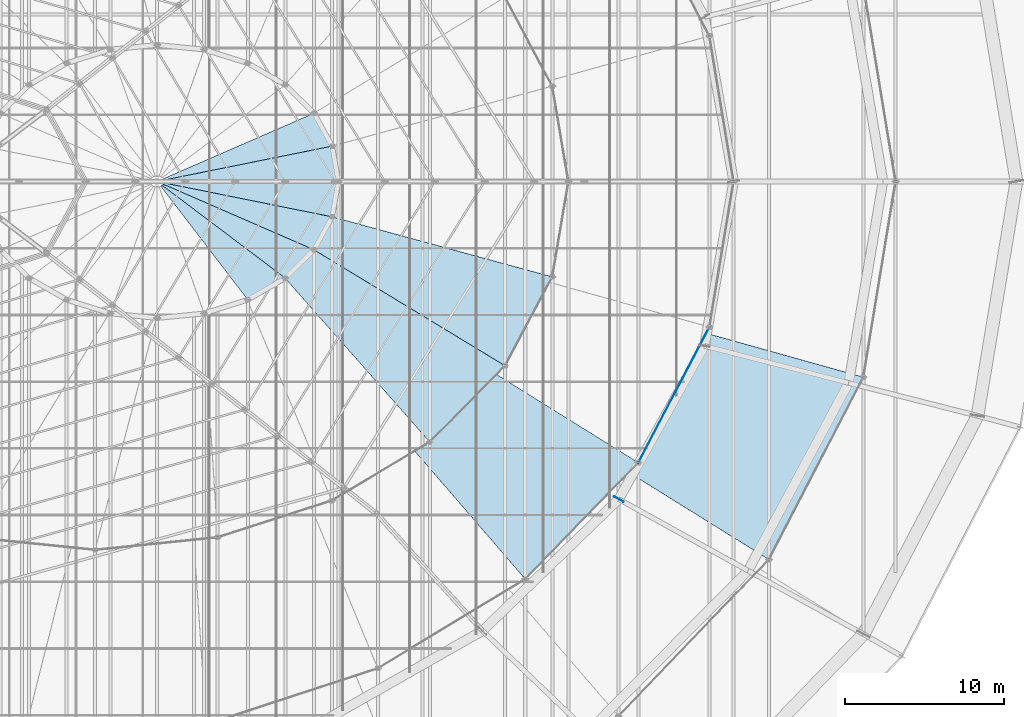
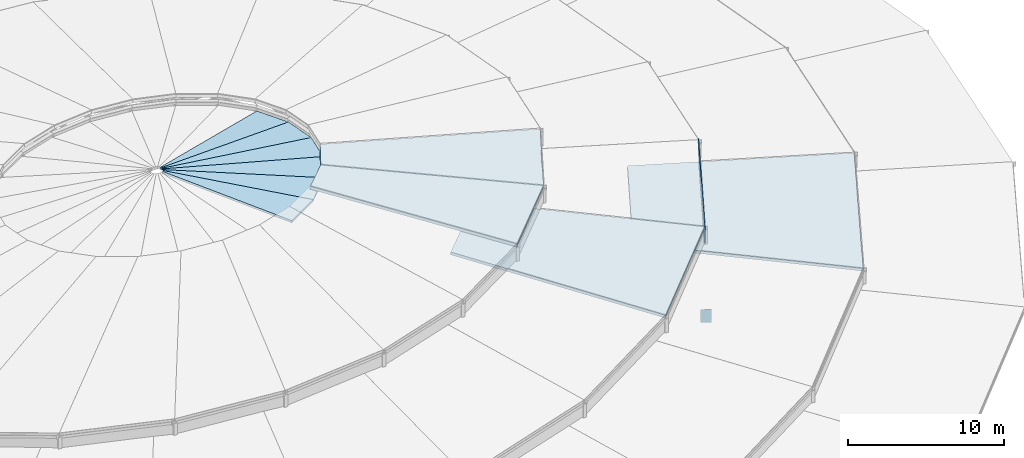
# One storey, part 144 of 184: 10 slabs, 2 plates.
"""IFC4 building model written with IfcOpenShell, lengths in metres."""

import ifcopenshell
import ifcopenshell.guid

model = None  # the IFC model being written
_history = None  # IfcOwnerHistory: only IFC2X3 demands one
_inside = {}  # id of a spatial element -> (the spatial element, [elements in it])
_under = {}  # id of a project, library or spatial element -> (it, [spatial elements below it])
_declared = {}  # id of a project -> (the project, [libraries it declares])
_typed = {}  # id of a type object -> (the type object, [elements of that type])
_made_of = {}  # id of a material, layer set ... -> (it, [elements and type objects made of it])


def new_model(schema):
    """Start an empty IFC model of exactly this schema.

    Asked for "IFC4X3", IfcOpenShell would pick the latest addendum, in which some entities
    have other attributes; the version numbers below select the first issue.
    IFC2X3 requires an IfcOwnerHistory on every rooted entity: one is made here for all.
    """
    global model, _history
    if schema == "IFC4X3":
        model = ifcopenshell.file(schema_version=(4, 3, 0, 0))
    else:
        model = ifcopenshell.file(schema=schema)
    _inside.clear()
    _under.clear()
    _declared.clear()
    _typed.clear()
    _made_of.clear()
    _history = None
    if model.schema == "IFC2X3":
        org = make("IfcOrganization", Name="unknown")
        user = make(
            "IfcPersonAndOrganization",
            ThePerson=make("IfcPerson", FamilyName="unknown"),
            TheOrganization=org,
        )
        app = make(
            "IfcApplication",
            ApplicationDeveloper=org,
            Version="unknown",
            ApplicationFullName="unknown",
            ApplicationIdentifier="unknown",
        )
        _history = make(
            "IfcOwnerHistory",
            OwningUser=user,
            OwningApplication=app,
            ChangeAction="ADDED",
            CreationDate=0,
        )
    return model


def make(cls, **values):
    """One entity of the class cls with the attributes given. An attribute that is None is left unset."""
    return model.create_entity(
        cls, **{name: value for name, value in values.items() if value is not None}
    )


def rooted(cls, **values):
    """An entity with a GlobalId (a new one), such as an element, a storey or a relation."""
    return make(cls, GlobalId=ifcopenshell.guid.new(), OwnerHistory=_history, **values)


def si_unit(unit_type, name, prefix=None):
    """IfcSIUnit, for example si_unit("LENGTHUNIT", "METRE", prefix="MILLI")."""
    return make("IfcSIUnit", UnitType=unit_type, Prefix=prefix, Name=name)


def assignment(units):
    """IfcUnitAssignment: the units of a project."""
    return None if units is None else make("IfcUnitAssignment", Units=units)


def point(xyz):
    """IfcCartesianPoint."""
    return None if xyz is None else make("IfcCartesianPoint", Coordinates=xyz)


def direction(xyz):
    """IfcDirection."""
    return None if xyz is None else make("IfcDirection", DirectionRatios=xyz)


def frame(location, z_axis=None, x_axis=None):
    """IfcAxis2Placement3D, a coordinate frame: its origin and axes. An axis left out is left unset."""
    return make(
        "IfcAxis2Placement3D",
        Location=point(location),
        Axis=direction(z_axis),
        RefDirection=direction(x_axis),
    )


def frame_2d(location, x_axis=None):
    """IfcAxis2Placement2D, a coordinate frame in the plane: its origin and x axis."""
    return make(
        "IfcAxis2Placement2D", Location=point(location), RefDirection=direction(x_axis)
    )


def origin():
    """The frame at (0, 0, 0) with its axes left unset."""
    return frame((0.0, 0.0, 0.0))


def origin_2d():
    """The frame at (0, 0) in the plane with its x axis left unset."""
    return frame_2d((0.0, 0.0))


def place(relative_to, where):
    """IfcLocalPlacement: puts the frame where relative to a parent placement (None: the world)."""
    return make(
        "IfcLocalPlacement", PlacementRelTo=relative_to, RelativePlacement=where
    )


def context(
    kind, dimensions, precision=None, world=None, true_north=None, identifier=None
):
    """IfcGeometricRepresentationContext, for example the 3D "Model" context."""
    return make(
        "IfcGeometricRepresentationContext",
        ContextIdentifier=identifier,
        ContextType=kind,
        CoordinateSpaceDimension=dimensions,
        Precision=precision,
        WorldCoordinateSystem=world,
        TrueNorth=true_north,
    )


def subcontext(parent, identifier, kind, view, scale=None):
    """IfcGeometricRepresentationSubContext, for example "Body" below "Model"."""
    return make(
        "IfcGeometricRepresentationSubContext",
        ContextIdentifier=identifier,
        ContextType=kind,
        ParentContext=parent,
        TargetScale=scale,
        TargetView=view,
    )


def project(units=None, contexts=None):
    """IfcProject with its units and contexts."""
    return rooted(
        "IfcProject",
        Name="project",
        RepresentationContexts=contexts,
        UnitsInContext=assignment(units),
    )


def spatial(cls, under=None, at=None, **own):
    """A site, building, storey or space (cls), placed at a placement, below another one or the project."""
    s = rooted(cls, ObjectPlacement=at, **own)
    if under is not None:
        _under.setdefault(under.id(), (under, []))[1].append(s)
    return s


def polyline(points):
    """IfcPolyline through the points."""
    return make("IfcPolyline", Points=[point(p) for p in points])


def profile(cls, at=None, kind="AREA", **sizes):
    """A parametric profile (cls). Its sizes go by their IFC names, for example OverallWidth=200.0."""
    return make(cls, ProfileType=kind, Position=at, **sizes)


def rectangle(**sizes):
    """IfcRectangleProfileDef."""
    return profile("IfcRectangleProfileDef", **sizes)


def outline(outer, holes=None, kind="AREA"):
    """IfcArbitraryClosedProfileDef: a profile drawn as a closed curve; with holes, ...WithVoids."""
    if holes is None:
        return make("IfcArbitraryClosedProfileDef", ProfileType=kind, OuterCurve=outer)
    return make(
        "IfcArbitraryProfileDefWithVoids",
        ProfileType=kind,
        OuterCurve=outer,
        InnerCurves=holes,
    )


def extrude(swept, where, along, depth):
    """IfcExtrudedAreaSolid: the profile swept, set in the frame where, extruded along a direction by depth."""
    return make(
        "IfcExtrudedAreaSolid",
        SweptArea=swept,
        Position=where,
        ExtrudedDirection=direction(along),
        Depth=depth,
    )


def shape(context_of_items, identifier, shape_type, items):
    """IfcShapeRepresentation: the items that make up one representation, for example the "Body"."""
    return make(
        "IfcShapeRepresentation",
        ContextOfItems=context_of_items,
        RepresentationIdentifier=identifier,
        RepresentationType=shape_type,
        Items=items,
    )


def material(Name=None, Category=None):
    """IfcMaterial."""
    return make("IfcMaterial", Name=Name, Category=Category)


def layer(
    of_material, thickness, ventilated=None, Name=None, Category=None, Priority=None
):
    """IfcMaterialLayer: one layer of a wall or slab, of a material (None: an air gap)."""
    return make(
        "IfcMaterialLayer",
        Material=of_material,
        LayerThickness=thickness,
        IsVentilated=ventilated,
        Name=Name,
        Category=Category,
        Priority=Priority,
    )


def layer_set(layers, Name=None):
    """IfcMaterialLayerSet."""
    return make("IfcMaterialLayerSet", MaterialLayers=layers, LayerSetName=Name)


def made_of(thing, what):
    """Note that an element or type object is made of a material, layer set ...; save() writes the relation."""
    if what is not None:
        _made_of.setdefault(what.id(), (what, []))[1].append(thing)
    return thing


def type_object(cls, material=None, **own):
    """A type object (cls), such as IfcWallType, which elements share."""
    return made_of(rooted(cls, **own), material)


def element(
    cls,
    number,
    at=None,
    inside=None,
    cuts=None,
    type_object=None,
    material=None,
    context=None,
    identifier="Body",
    shape_type=None,
    held_by="IfcProductDefinitionShape",
    body=None,
    shapes=None,
    **own,
):
    """One element of the class cls, such as IfcWall. Its Tag is "e" and its number.

    at: its placement. inside: the storey or other place that contains it. cuts: it is an
    opening in that element (IfcRelVoidsElement). A single representation is given by context,
    identifier, shape_type and body (its items); several are given by shapes. held_by: the class
    of the entity that holds the representations. save() writes the other relations.
    """
    e = rooted(cls, Tag="e%d" % number, ObjectPlacement=at, **own)
    if body is not None:
        shapes = [shape(context, identifier, shape_type, body)]
    if shapes is not None:
        e.Representation = make(held_by, Representations=shapes)
    if inside is not None:
        _inside.setdefault(inside.id(), (inside, []))[1].append(e)
    if cuts is not None:
        rooted(
            "IfcRelVoidsElement", RelatingBuildingElement=cuts, RelatedOpeningElement=e
        )
    if type_object is not None:
        _typed.setdefault(type_object.id(), (type_object, []))[1].append(e)
    return made_of(e, material)


def aggregate(whole, parts):
    """IfcRelAggregates: a whole, such as a stair, and the parts it consists of."""
    return rooted("IfcRelAggregates", RelatingObject=whole, RelatedObjects=parts)


def save(model, path):
    """Write the relations noted so far, then the file.

    IfcRelAggregates (storeys below a building ...), IfcRelContainedInSpatialStructure (elements
    in a storey), IfcRelDefinesByType, IfcRelAssociatesMaterial and IfcRelDeclares: one each for
    every whole, place, type object, material and project.
    """
    for whole, parts in _under.values():
        aggregate(whole, parts)
    for where, things in _inside.values():
        rooted(
            "IfcRelContainedInSpatialStructure",
            RelatedElements=things,
            RelatingStructure=where,
        )
    for kind, things in _typed.values():
        rooted("IfcRelDefinesByType", RelatedObjects=things, RelatingType=kind)
    for what, things in _made_of.values():
        rooted("IfcRelAssociatesMaterial", RelatedObjects=things, RelatingMaterial=what)
    for by, libraries in _declared.values():
        rooted("IfcRelDeclares", RelatingContext=by, RelatedDefinitions=libraries)
    model.write(path)


model = new_model("IFC4")

# Units and contexts
model_context = context("Model", 3, precision=1e-05, world=origin(), true_north=direction((0.0, 1.0)))
body_context = subcontext(model_context, "Body", "Model", "MODEL_VIEW")
ifc_project = project(units=[si_unit("LENGTHUNIT", "METRE"), si_unit("AREAUNIT", "SQUARE_METRE"), si_unit("VOLUMEUNIT", "CUBIC_METRE"), si_unit("PLANEANGLEUNIT", "RADIAN"), si_unit("MASSUNIT", "GRAM", prefix="KILO")], contexts=[model_context])

# Site, building, storey
site_placement = place(None, origin())
site = spatial("IfcSite", under=ifc_project, at=site_placement, CompositionType="ELEMENT")
building_placement = place(site_placement, origin())
building = spatial("IfcBuilding", under=site, at=building_placement, Name="Kalgoora Escarpment Arena", CompositionType="ELEMENT")
storey_placement = place(building_placement, frame((0.0, 0.0, 27.60009765625)))
storey = spatial("IfcBuildingStorey", under=building, at=storey_placement, Name="Roof Level", CompositionType="ELEMENT", Elevation=27.60009765625)

# Plates
ifc_material_1 = material(Name="Low-E double-glazed petal clerestory glass", Category="glass")
ifc_layer_1 = layer(ifc_material_1, 0.035888671875)
ifc_layer_set_1 = layer_set([ifc_layer_1], Name="PLT-PETAL-CLERESTORY")
plate_type_1 = type_object("IfcPlateType", Name="PLT-PETAL-CLERESTORY", PredefinedType="USERDEFINED", material=ifc_layer_set_1)
plate_1_placement = place(storey_placement, frame((142.6357421875, 50.56884765625, 2.7099609375), z_axis=(0.0, 0.0, 1.0), x_axis=(0.464223811138, 0.885717930931, 0.0)))
element("IfcPlate", 1, at=plate_1_placement, inside=storey, type_object=plate_type_1, Name="Petal RP3 glazed clerestory collar panel S23", ObjectType="CLERESTORY PANEL", PredefinedType="USERDEFINED", context=body_context, shape_type="SweptSolid", body=[
    extrude(rectangle(XDim=9.784423828125, YDim=0.0400390625, at=origin_2d()), origin(), (0.0, 0.0, 1.0), 1.25),
])
ifc_material_2 = material(Name="Structural steel Grade 350 (350 MPa)", Category="steel")
ifc_layer_2 = layer(ifc_material_2, 0.031982421875)
ifc_layer_set_2 = layer_set([ifc_layer_2], Name="PLT-RING-DIAPH")
plate_type_2 = type_object("IfcPlateType", Name="PLT-RING-DIAPH", PredefinedType="USERDEFINED", material=ifc_layer_set_2)
plate_2_placement = place(storey_placement, frame((139.165283203125, 44.0, -1.760009765625), z_axis=(0.0, 0.0, 1.0), x_axis=(0.488012005351, 0.872836916401, 0.0)))
element("IfcPlate", 2, at=plate_2_placement, inside=storey, type_object=plate_type_2, Name="Inner ring node diaphragm plate 23", ObjectType="FLANGE PLATE", PredefinedType="USERDEFINED", context=body_context, shape_type="SweptSolid", body=[
    extrude(rectangle(XDim=0.031982421875, YDim=0.679931640625, at=origin_2d()), origin(), (0.0, 0.0, 1.0), 1.02001953125),
])

# Slabs
ifc_material_3 = material(Name="White acoustic composite Concrete N40 (fc' 40 MPa)", Category="concrete")
ifc_layer_3 = layer(ifc_material_3, 0.179931640625)
ifc_layer_set_3 = layer_set([ifc_layer_3], Name="SLB-CROWN-180")
slab_type_1 = type_object("IfcSlabType", Name="SLB-CROWN-180", PredefinedType="ROOF", material=ifc_layer_set_3)
slab_1_placement = place(storey_placement, frame((121.510009765625, 64.0, 6.75), z_axis=(0.13124082871, 0.022878618327, 0.991086481445), x_axis=(-0.171908029694, 0.985113003047, 2.3537677e-05)))
element("IfcSlab", 3, at=slab_1_placement, inside=storey, type_object=slab_type_1, Name="Art Deco pitched crown dome sector 01", PredefinedType="ROOF", context=body_context, shape_type="SweptSolid", body=[
    extrude(outline(polyline([(0.0, 0.0), (2.259467999029449, -5.551115123125783e-17), (1.9742905175930783, 10.883530950543234), (1.8824186596826196, 10.883946391546935), (0.0, 0.0)])), origin(), (0.0, 0.0, -1.0), 0.179931640625),
])
slab_2_placement = place(storey_placement, frame((121.12158203125, 66.225830078125, 6.75), z_axis=(0.122191429163, 0.06712242414, 0.990234232299), x_axis=(-0.481303922258, 0.876553782589, -2.5449185e-05)))
element("IfcSlab", 4, at=slab_2_placement, inside=storey, type_object=slab_type_1, Name="Art Deco pitched crown dome sector 02", PredefinedType="ROOF", context=body_context, shape_type="SweptSolid", body=[
    extrude(outline(polyline([(0.0, 0.0), (2.3663290366726724, -1.1102230246251565e-16), (3.314669642250503, 10.399207210171307), (3.219003735043346, 10.400508982752186), (0.0, 0.0)])), origin(), (0.0, 0.0, -1.0), 0.179931640625),
])
slab_3_placement = place(storey_placement, frame((115.81005859375, 56.55224609375, 6.75), z_axis=(0.080317619716, -0.138770776921, 0.987062182153), x_axis=(0.865443828447, 0.501005967613, 1.4790425e-05)))
element("IfcSlab", 5, at=slab_3_placement, inside=storey, type_object=slab_type_1, Name="Art Deco pitched crown dome sector 21", PredefinedType="ROOF", context=body_context, shape_type="SweptSolid", body=[
    extrude(outline(polyline([(0.0, 0.0), (2.727898737251544, 2.220446049250313e-16), (-1.0503144292743118, 9.044715398527952), (-1.158792923391847, 9.043454378046185), (0.0, 0.0)])), origin(), (0.0, 0.0, -1.0), 0.179931640625),
])
slab_4_placement = place(storey_placement, frame((118.1708984375, 57.9189453125, 6.75), z_axis=(0.104821272177, -0.10663593928, 0.988757441111), x_axis=(0.713135274723, 0.701026447388, 2.899545e-06)))
element("IfcSlab", 6, at=slab_4_placement, inside=storey, type_object=slab_type_1, Name="Art Deco pitched crown dome sector 22", PredefinedType="ROOF", context=body_context, shape_type="SweptSolid", body=[
    extrude(outline(polyline([(0.0, 0.0), (2.540567579935142, 0.0), (-1.330291859135439, 9.698490793871438), (-1.432135973702724, 9.696909295386057), (0.0, 0.0)])), origin(), (0.0, 0.0, -1.0), 0.179931640625),
])
slab_5_placement = place(storey_placement, frame((119.982666015625, 59.699951171875, 6.75), z_axis=(0.122231700924, -0.067032517279, 0.990235352286), x_axis=(0.481291922323, 0.876560368916, -7.1783168e-05)))
element("IfcSlab", 7, at=slab_5_placement, inside=storey, type_object=slab_type_1, Name="Art Deco pitched crown dome sector 23", PredefinedType="ROOF", context=body_context, shape_type="SweptSolid", body=[
    extrude(outline(polyline([(0.0, 0.0), (2.366329031236683, 3.3306690738754696e-16), (-0.8526747003294592, 10.400508982591598), (-0.9483406186283605, 10.399241245108486), (0.0, 0.0)])), origin(), (0.0, 0.0, -1.0), 0.179931640625),
])
slab_6_placement = place(storey_placement, frame((121.12158203125, 61.774169921875, 6.75), z_axis=(0.13124082871, -0.022878618327, 0.991086481445), x_axis=(0.171908029694, 0.985113003047, -2.3537677e-05)))
element("IfcSlab", 8, at=slab_6_placement, inside=storey, type_object=slab_type_1, Name="Art Deco pitched crown dome sector 24", PredefinedType="ROOF", context=body_context, shape_type="SweptSolid", body=[
    extrude(outline(polyline([(0.0, 0.0), (2.259467999029449, 5.551115123125783e-17), (0.3770493393468294, 10.883946391546935), (0.2851774814363707, 10.883530950543234), (0.0, 0.0)])), origin(), (0.0, 0.0, -1.0), 0.179931640625),
])
ifc_material_4 = material(Name="White acoustic composite Concrete N40 (fc' 40 MPa)", Category="concrete")
ifc_layer_4 = layer(ifc_material_4, 0.205078125)
ifc_layer_set_4 = layer_set([ifc_layer_4], Name="SLB-PETAL-RP2")
slab_type_2 = type_object("IfcSlabType", Name="SLB-PETAL-RP2", PredefinedType="ROOF", material=ifc_layer_set_4)
slab_7_placement = place(storey_placement, frame((148.614990234375, 40.199951171875, 1.449951171875), z_axis=(0.095871897235, -0.049724198649, 0.994150935919), x_axis=(0.46040212596, 0.887710472176, 1.07283e-06)))
element("IfcSlab", 9, at=slab_7_placement, inside=storey, type_object=slab_type_2, Name="Shifted white roof petal RP2 sector 23", PredefinedType="ROOF", context=body_context, shape_type="SweptSolid", body=[
    extrude(outline(polyline([(0.0, 0.0), (12.932396626227852, 0.0), (9.867312308174387, 14.765941455549726), (1.1487028490465656, 14.813628486802044), (0.0, 0.0)])), origin(), (0.0, 0.0, -1.0), 0.205078125),
])
ifc_material_5 = material(Name="White acoustic composite Concrete N40 (fc' 40 MPa)", Category="concrete")
ifc_layer_5 = layer(ifc_material_5, 0.215087890625)
ifc_layer_set_5 = layer_set([ifc_layer_5], Name="SLB-PETAL-RP3")
slab_type_3 = type_object("IfcSlabType", Name="SLB-PETAL-RP3", PredefinedType="ROOF", material=ifc_layer_set_5)
slab_8_placement = place(storey_placement, frame((133.2783203125, 38.968505859375, 3.89990234375), z_axis=(0.07859605112, -0.076306294047, 0.993981896333), x_axis=(0.6966617516, 0.717399751668, -1.2823415e-05)))
element("IfcSlab", 10, at=slab_8_placement, inside=storey, type_object=slab_type_3, Name="Shifted white roof petal RP3 sector 22", PredefinedType="ROOF", context=body_context, shape_type="SweptSolid", body=[
    extrude(outline(polyline([(0.0, 0.0), (10.219620249693984, 0.0), (7.076125865112649, 14.520742112729538), (1.277810048401316, 14.605785933190083), (0.0, 0.0)])), origin(), (0.0, 0.0, -1.0), 0.215087890625),
])
ifc_material_6 = material(Name="White acoustic composite Concrete N40 (fc' 40 MPa)", Category="concrete")
ifc_layer_6 = layer(ifc_material_6, 0.22509765625)
ifc_layer_set_6 = layer_set([ifc_layer_6], Name="SLB-PETAL-RP4")
slab_type_4 = type_object("IfcSlabType", Name="SLB-PETAL-RP4", PredefinedType="ROOF", material=ifc_layer_set_6)
slab_9_placement = place(storey_placement, frame((127.271728515625, 47.59521484375, 6.349853515625), z_axis=(0.071242410545, -0.070189098199, 0.994986436809), x_axis=(0.701984135963, 0.712192580927, -2.3002335e-05)))
element("IfcSlab", 11, at=slab_9_placement, inside=storey, type_object=slab_type_4, Name="Shifted white roof petal RP4 sector 22", PredefinedType="ROOF", context=body_context, shape_type="SweptSolid", body=[
    extrude(outline(polyline([(0.0, 0.0), (6.746347231945714, 4.440892098500626e-16), (3.4538434421579978, 13.952042998275807), (0.9652567412211767, 13.998742226377782), (0.0, 0.0)])), origin(), (0.0, 0.0, -1.0), 0.22509765625),
])
slab_10_placement = place(storey_placement, frame((132.007568359375, 52.39990234375, 6.349853515625), z_axis=(0.086361082576, -0.045934965461, 0.995204372159), x_axis=(0.469703311471, 0.882824330803, -1.1637132e-05)))
element("IfcSlab", 12, at=slab_10_placement, inside=storey, type_object=slab_type_4, Name="Shifted white roof petal RP4 sector 23", PredefinedType="ROOF", context=body_context, shape_type="SweptSolid", body=[
    extrude(outline(polyline([(0.0, 0.0), (6.338137943786911, 0.0), (3.1176176145078744, 14.27680199191074), (0.8035729982891707, 14.313210853977155), (0.0, 0.0)])), origin(), (0.0, 0.0, -1.0), 0.22509765625),
])

save(model, "model.ifc")
